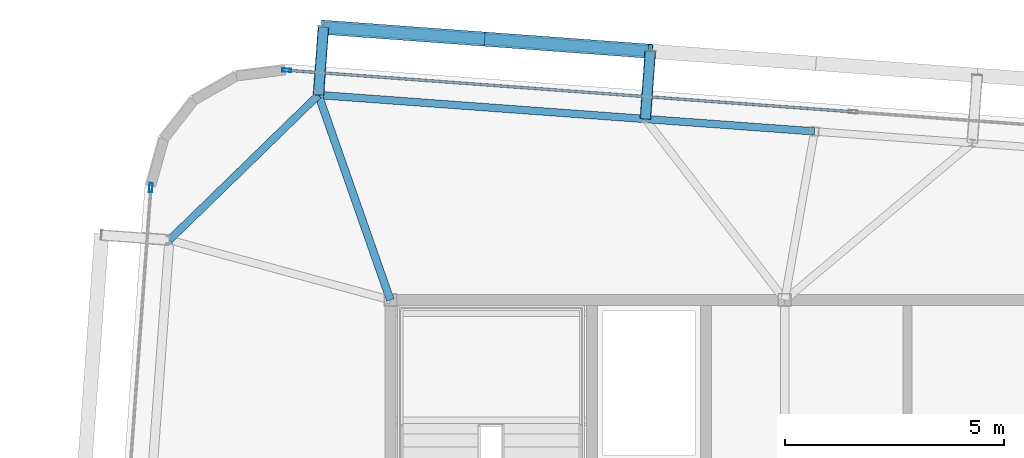
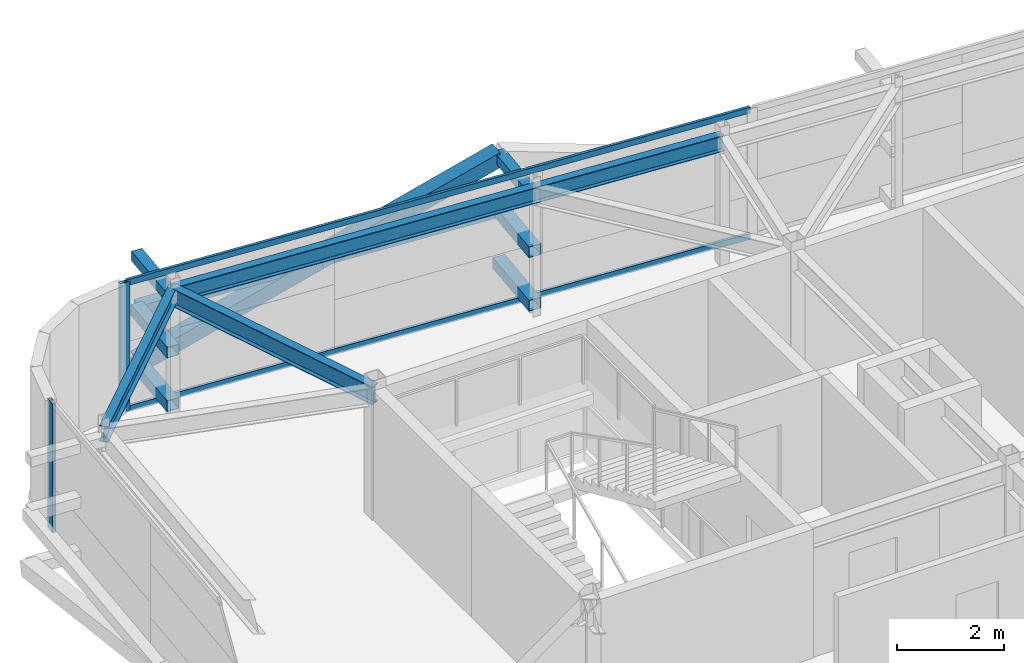
# One storey, part 20 of 34: 13 members, 4 beams, 2 elements without a shape of their own.
"""IFC4 building model written with IfcOpenShell, lengths in metres."""

import ifcopenshell
import ifcopenshell.guid

model = None  # the IFC model being written
_history = None  # IfcOwnerHistory: only IFC2X3 demands one
_inside = {}  # id of a spatial element -> (the spatial element, [elements in it])
_under = {}  # id of a project, library or spatial element -> (it, [spatial elements below it])
_declared = {}  # id of a project -> (the project, [libraries it declares])
_typed = {}  # id of a type object -> (the type object, [elements of that type])
_made_of = {}  # id of a material, layer set ... -> (it, [elements and type objects made of it])


def new_model(schema):
    """Start an empty IFC model of exactly this schema.

    Asked for "IFC4X3", IfcOpenShell would pick the latest addendum, in which some entities
    have other attributes; the version numbers below select the first issue.
    IFC2X3 requires an IfcOwnerHistory on every rooted entity: one is made here for all.
    """
    global model, _history
    if schema == "IFC4X3":
        model = ifcopenshell.file(schema_version=(4, 3, 0, 0))
    else:
        model = ifcopenshell.file(schema=schema)
    _inside.clear()
    _under.clear()
    _declared.clear()
    _typed.clear()
    _made_of.clear()
    _history = None
    if model.schema == "IFC2X3":
        org = make("IfcOrganization", Name="unknown")
        user = make(
            "IfcPersonAndOrganization",
            ThePerson=make("IfcPerson", FamilyName="unknown"),
            TheOrganization=org,
        )
        app = make(
            "IfcApplication",
            ApplicationDeveloper=org,
            Version="unknown",
            ApplicationFullName="unknown",
            ApplicationIdentifier="unknown",
        )
        _history = make(
            "IfcOwnerHistory",
            OwningUser=user,
            OwningApplication=app,
            ChangeAction="ADDED",
            CreationDate=0,
        )
    return model


def make(cls, **values):
    """One entity of the class cls with the attributes given. An attribute that is None is left unset."""
    return model.create_entity(
        cls, **{name: value for name, value in values.items() if value is not None}
    )


def rooted(cls, **values):
    """An entity with a GlobalId (a new one), such as an element, a storey or a relation."""
    return make(cls, GlobalId=ifcopenshell.guid.new(), OwnerHistory=_history, **values)


def si_unit(unit_type, name, prefix=None):
    """IfcSIUnit, for example si_unit("LENGTHUNIT", "METRE", prefix="MILLI")."""
    return make("IfcSIUnit", UnitType=unit_type, Prefix=prefix, Name=name)


def assignment(units):
    """IfcUnitAssignment: the units of a project."""
    return None if units is None else make("IfcUnitAssignment", Units=units)


def point(xyz):
    """IfcCartesianPoint."""
    return None if xyz is None else make("IfcCartesianPoint", Coordinates=xyz)


def direction(xyz):
    """IfcDirection."""
    return None if xyz is None else make("IfcDirection", DirectionRatios=xyz)


def frame(location, z_axis=None, x_axis=None):
    """IfcAxis2Placement3D, a coordinate frame: its origin and axes. An axis left out is left unset."""
    return make(
        "IfcAxis2Placement3D",
        Location=point(location),
        Axis=direction(z_axis),
        RefDirection=direction(x_axis),
    )


def frame_2d(location, x_axis=None):
    """IfcAxis2Placement2D, a coordinate frame in the plane: its origin and x axis."""
    return make(
        "IfcAxis2Placement2D", Location=point(location), RefDirection=direction(x_axis)
    )


def origin():
    """The frame at (0, 0, 0) with its axes left unset."""
    return frame((0.0, 0.0, 0.0))


def origin_2d():
    """The frame at (0, 0) in the plane with its x axis left unset."""
    return frame_2d((0.0, 0.0))


def place(relative_to, where):
    """IfcLocalPlacement: puts the frame where relative to a parent placement (None: the world)."""
    return make(
        "IfcLocalPlacement", PlacementRelTo=relative_to, RelativePlacement=where
    )


def context(
    kind, dimensions, precision=None, world=None, true_north=None, identifier=None
):
    """IfcGeometricRepresentationContext, for example the 3D "Model" context."""
    return make(
        "IfcGeometricRepresentationContext",
        ContextIdentifier=identifier,
        ContextType=kind,
        CoordinateSpaceDimension=dimensions,
        Precision=precision,
        WorldCoordinateSystem=world,
        TrueNorth=true_north,
    )


def subcontext(parent, identifier, kind, view, scale=None):
    """IfcGeometricRepresentationSubContext, for example "Body" below "Model"."""
    return make(
        "IfcGeometricRepresentationSubContext",
        ContextIdentifier=identifier,
        ContextType=kind,
        ParentContext=parent,
        TargetScale=scale,
        TargetView=view,
    )


def project(units=None, contexts=None):
    """IfcProject with its units and contexts."""
    return rooted(
        "IfcProject",
        Name="project",
        RepresentationContexts=contexts,
        UnitsInContext=assignment(units),
    )


def spatial(cls, under=None, at=None, **own):
    """A site, building, storey or space (cls), placed at a placement, below another one or the project."""
    s = rooted(cls, ObjectPlacement=at, **own)
    if under is not None:
        _under.setdefault(under.id(), (under, []))[1].append(s)
    return s


def profile(cls, at=None, kind="AREA", **sizes):
    """A parametric profile (cls). Its sizes go by their IFC names, for example OverallWidth=200.0."""
    return make(cls, ProfileType=kind, Position=at, **sizes)


def hollow_rectangle(**sizes):
    """IfcRectangleHollowProfileDef."""
    return profile("IfcRectangleHollowProfileDef", **sizes)


def i_section(**sizes):
    """IfcIShapeProfileDef."""
    return profile("IfcIShapeProfileDef", **sizes)


def extrude(swept, where, along, depth):
    """IfcExtrudedAreaSolid: the profile swept, set in the frame where, extruded along a direction by depth."""
    return make(
        "IfcExtrudedAreaSolid",
        SweptArea=swept,
        Position=where,
        ExtrudedDirection=direction(along),
        Depth=depth,
    )


def shape(context_of_items, identifier, shape_type, items):
    """IfcShapeRepresentation: the items that make up one representation, for example the "Body"."""
    return make(
        "IfcShapeRepresentation",
        ContextOfItems=context_of_items,
        RepresentationIdentifier=identifier,
        RepresentationType=shape_type,
        Items=items,
    )


def source(mapping_origin, context_of_items, identifier, shape_type, items):
    """IfcRepresentationMap: a shape defined once, which mapped items show again and again."""
    return make(
        "IfcRepresentationMap",
        MappingOrigin=mapping_origin,
        MappedRepresentation=shape(context_of_items, identifier, shape_type, items),
    )


def transform(
    local_origin,
    x_axis=None,
    y_axis=None,
    z_axis=None,
    scale=None,
    scale2=None,
    scale3=None,
    uniform=True,
):
    """IfcCartesianTransformationOperator3D, or its non-uniform kind. x_axis, y_axis, z_axis: its Axis1, 2, 3."""
    if uniform:
        return make(
            "IfcCartesianTransformationOperator3D",
            Axis1=direction(x_axis),
            Axis2=direction(y_axis),
            LocalOrigin=point(local_origin),
            Scale=scale,
            Axis3=direction(z_axis),
        )
    return make(
        "IfcCartesianTransformationOperator3DnonUniform",
        Axis1=direction(x_axis),
        Axis2=direction(y_axis),
        LocalOrigin=point(local_origin),
        Scale=scale,
        Axis3=direction(z_axis),
        Scale2=scale2,
        Scale3=scale3,
    )


def mapped(mapping_source, mapping_target):
    """IfcMappedItem: shows the shape of a source again, moved by a transform."""
    return make(
        "IfcMappedItem", MappingSource=mapping_source, MappingTarget=mapping_target
    )


def material(Name=None, Category=None):
    """IfcMaterial."""
    return make("IfcMaterial", Name=Name, Category=Category)


def layer(
    of_material, thickness, ventilated=None, Name=None, Category=None, Priority=None
):
    """IfcMaterialLayer: one layer of a wall or slab, of a material (None: an air gap)."""
    return make(
        "IfcMaterialLayer",
        Material=of_material,
        LayerThickness=thickness,
        IsVentilated=ventilated,
        Name=Name,
        Category=Category,
        Priority=Priority,
    )


def layer_set(layers, Name=None):
    """IfcMaterialLayerSet."""
    return make("IfcMaterialLayerSet", MaterialLayers=layers, LayerSetName=Name)


def material_profile(
    of_material, cross_section, Name=None, Category=None, Priority=None
):
    """IfcMaterialProfile: a cross section and its material."""
    return make(
        "IfcMaterialProfile",
        Name=Name,
        Material=of_material,
        Profile=cross_section,
        Priority=Priority,
        Category=Category,
    )


def profile_set(profiles, Name=None, composite=None):
    """IfcMaterialProfileSet."""
    return make(
        "IfcMaterialProfileSet",
        Name=Name,
        MaterialProfiles=profiles,
        CompositeProfile=composite,
    )


def made_of(thing, what):
    """Note that an element or type object is made of a material, layer set ...; save() writes the relation."""
    if what is not None:
        _made_of.setdefault(what.id(), (what, []))[1].append(thing)
    return thing


def type_object(cls, material=None, **own):
    """A type object (cls), such as IfcWallType, which elements share."""
    return made_of(rooted(cls, **own), material)


def element(
    cls,
    number,
    at=None,
    inside=None,
    cuts=None,
    type_object=None,
    material=None,
    context=None,
    identifier="Body",
    shape_type=None,
    held_by="IfcProductDefinitionShape",
    body=None,
    shapes=None,
    **own,
):
    """One element of the class cls, such as IfcWall. Its Tag is "e" and its number.

    at: its placement. inside: the storey or other place that contains it. cuts: it is an
    opening in that element (IfcRelVoidsElement). A single representation is given by context,
    identifier, shape_type and body (its items); several are given by shapes. held_by: the class
    of the entity that holds the representations. save() writes the other relations.
    """
    e = rooted(cls, Tag="e%d" % number, ObjectPlacement=at, **own)
    if body is not None:
        shapes = [shape(context, identifier, shape_type, body)]
    if shapes is not None:
        e.Representation = make(held_by, Representations=shapes)
    if inside is not None:
        _inside.setdefault(inside.id(), (inside, []))[1].append(e)
    if cuts is not None:
        rooted(
            "IfcRelVoidsElement", RelatingBuildingElement=cuts, RelatedOpeningElement=e
        )
    if type_object is not None:
        _typed.setdefault(type_object.id(), (type_object, []))[1].append(e)
    return made_of(e, material)


def aggregate(whole, parts):
    """IfcRelAggregates: a whole, such as a stair, and the parts it consists of."""
    return rooted("IfcRelAggregates", RelatingObject=whole, RelatedObjects=parts)


def save(model, path):
    """Write the relations noted so far, then the file.

    IfcRelAggregates (storeys below a building ...), IfcRelContainedInSpatialStructure (elements
    in a storey), IfcRelDefinesByType, IfcRelAssociatesMaterial and IfcRelDeclares: one each for
    every whole, place, type object, material and project.
    """
    for whole, parts in _under.values():
        aggregate(whole, parts)
    for where, things in _inside.values():
        rooted(
            "IfcRelContainedInSpatialStructure",
            RelatedElements=things,
            RelatingStructure=where,
        )
    for kind, things in _typed.values():
        rooted("IfcRelDefinesByType", RelatedObjects=things, RelatingType=kind)
    for what, things in _made_of.values():
        rooted("IfcRelAssociatesMaterial", RelatedObjects=things, RelatingMaterial=what)
    for by, libraries in _declared.values():
        rooted("IfcRelDeclares", RelatingContext=by, RelatedDefinitions=libraries)
    model.write(path)


model = new_model("IFC4")

# Units and contexts
model_context = context("Model", 3, precision=1e-05, world=origin(), true_north=direction((0.0, 1.0)))
body_context = subcontext(model_context, "Body", "Model", "MODEL_VIEW")
ifc_project = project(units=[si_unit("LENGTHUNIT", "METRE"), si_unit("AREAUNIT", "SQUARE_METRE"), si_unit("VOLUMEUNIT", "CUBIC_METRE"), si_unit("PLANEANGLEUNIT", "RADIAN"), si_unit("MASSUNIT", "GRAM", prefix="KILO")], contexts=[model_context])

# Site, building, storey
site_placement = place(None, origin())
site = spatial("IfcSite", under=ifc_project, at=site_placement, CompositionType="ELEMENT")
building_placement = place(site_placement, origin())
building = spatial("IfcBuilding", under=site, at=building_placement, Name="Taldren Reach Tower", CompositionType="ELEMENT")
storey_placement = place(building_placement, frame((0.0, 0.0, 242.89990234375)))
storey = spatial("IfcBuildingStorey", under=building, at=storey_placement, Name="L74", CompositionType="ELEMENT", Elevation=242.89990234375)

# Members
ifc_material_1 = material(Name="Steel Gr 350 (C350L0)", Category="steel")
ifc_material_profile_1 = material_profile(ifc_material_1, hollow_rectangle(XDim=0.25, YDim=0.25, WallThickness=0.010009765625, at=origin_2d()), Name="250x250x10.0SHS")
ifc_profile_set_1 = profile_set([ifc_material_profile_1], Name="Steel Gr 350 (C350L0)")
member_type_1 = type_object("IfcMemberType", Name="MB-POST250", PredefinedType="POST", material=ifc_profile_set_1)
shared_shape_1 = source(origin(), body_context, "Body", "SweptSolid", [
    extrude(hollow_rectangle(XDim=0.25, YDim=0.25, WallThickness=0.010009765625, at=origin_2d()), origin(), (0.0, 0.0, 1.0), 1.5498046875),
])
for number, where, z_axis, x_axis, name in (
    (1, (17.35986328125, 36.678955078125, 0.22021484375), (0.073250797913, 0.997313551801, 0.0), (-0.997313551801, 0.073250797913, 0.0), "Exoskeleton base diaphragm tie strut B5-N1 L74"),
    (2, (17.35986328125, 36.678955078125, 1.43505859375), (0.073250797913, 0.997313551801, 0.0), (-0.997313551801, 0.073250797913, 0.0), "Exoskeleton mid-tier diaphragm tie B5-N1 L74"),
):
    element("IfcMember", number, at=place(storey_placement, frame(where, z_axis=z_axis, x_axis=x_axis)), inside=storey, type_object=member_type_1, Name=name, PredefinedType="POST", context=body_context, shape_type="MappedRepresentation", body=[
        mapped(shared_shape_1, transform((0.0, 0.0, 0.0), scale=1.0)),
    ])
shared_shape_2 = source(origin(), body_context, "Body", "SweptSolid", [
    extrude(hollow_rectangle(XDim=0.25, YDim=0.25, WallThickness=0.010009765625, at=origin_2d()), origin(), (0.0, 0.0, 1.0), 1.550048828125),
])
for number, where, z_axis, x_axis, name in (
    (3, (24.819580078125, 36.131103515625, 0.22021484375), (0.07323929162, 0.997314396849, 0.0), (-0.997314396849, 0.07323929162, 0.0), "Exoskeleton base diaphragm tie strut B5-N2 L74"),
    (4, (24.819580078125, 36.131103515625, 1.43505859375), (0.07323929162, 0.997314396849, 0.0), (-0.997314396849, 0.07323929162, 0.0), "Exoskeleton mid-tier diaphragm tie B5-N2 L74"),
):
    element("IfcMember", number, at=place(storey_placement, frame(where, z_axis=z_axis, x_axis=x_axis)), inside=storey, type_object=member_type_1, Name=name, PredefinedType="POST", context=body_context, shape_type="MappedRepresentation", body=[
        mapped(shared_shape_2, transform((0.0, 0.0, 0.0), scale=1.0)),
    ])
ifc_material_2 = material(Name="Steel Gr 450 (C450L0)", Category="steel")
ifc_material_profile_2 = material_profile(ifc_material_2, hollow_rectangle(XDim=0.219970703125, YDim=0.219970703125, WallThickness=0.00830078125, at=origin_2d()), Name="220x220x8.2SHS")
ifc_profile_set_2 = profile_set([ifc_material_profile_2], Name="Steel Gr 450 (C450L0)")
member_type_2 = type_object("IfcMemberType", Name="MB-TIE219", PredefinedType="STRUT", material=ifc_profile_set_2)
shared_shape_3 = source(origin(), body_context, "Body", "SweptSolid", [
    extrude(hollow_rectangle(XDim=0.219970703125, YDim=0.219970703125, WallThickness=0.00830078125, at=origin_2d()), origin(), (0.0, 0.0, 1.0), 1.5498046875),
])
member_1_placement = place(storey_placement, frame((17.35986328125, 36.678955078125, 2.650146484375), z_axis=(0.073250797913, 0.997313551801, 0.0), x_axis=(-0.997313551801, 0.073250797913, 0.0)))
element("IfcMember", 5, at=member_1_placement, inside=storey, type_object=member_type_2, Name="Exoskeleton diaphragm tie strut B5-N1 L74", PredefinedType="STRUT", context=body_context, shape_type="MappedRepresentation", body=[
    mapped(shared_shape_3, transform((0.0, 0.0, 0.0), scale=1.0)),
])
shared_shape_4 = source(origin(), body_context, "Body", "SweptSolid", [
    extrude(hollow_rectangle(XDim=0.219970703125, YDim=0.219970703125, WallThickness=0.00830078125, at=origin_2d()), origin(), (0.0, 0.0, 1.0), 1.550048828125),
])
member_2_placement = place(storey_placement, frame((24.819580078125, 36.131103515625, 2.650146484375), z_axis=(0.07323929162, 0.997314396849, 0.0), x_axis=(-0.997314396849, 0.07323929162, 0.0)))
element("IfcMember", 6, at=member_2_placement, inside=storey, type_object=member_type_2, Name="Exoskeleton diaphragm tie strut B5-N2 L74", PredefinedType="STRUT", context=body_context, shape_type="MappedRepresentation", body=[
    mapped(shared_shape_4, transform((0.0, 0.0, 0.0), scale=1.0)),
])

# Beams
ifc_material_3 = material(Name="Steel Gr 350 (350PLUS)", Category="steel")
ifc_material_profile_3 = material_profile(ifc_material_3, i_section(OverallWidth=0.172119140625, OverallDepth=0.35888671875, WebThickness=0.008056640625, FlangeThickness=0.012939453125, at=origin_2d()), Name="360UB56.7")
ifc_profile_set_3 = profile_set([ifc_material_profile_3], Name="Steel Gr 350 (350PLUS)")
beam_type_1 = type_object("IfcBeamType", Name="SP-UB360", PredefinedType="SPANDREL", material=ifc_profile_set_3)
shared_shape_5 = source(origin(), body_context, "Body", "SweptSolid", [
    extrude(i_section(OverallWidth=0.172119140625, OverallDepth=0.35888671875, WebThickness=0.008056640625, FlangeThickness=0.012939453125, at=origin_2d()), origin(), (0.0, 0.0, 1.0), 7.479736328125),
])
beam_1_placement = place(storey_placement, frame((24.819580078125, 36.131103515625, 2.75048828125), z_axis=(-0.997314045547, 0.073244075215, 0.0), x_axis=(-0.073244075215, -0.997314045547, 0.0)))
element("IfcBeam", 7, at=beam_1_placement, inside=storey, type_object=beam_type_1, Name="Perimeter spandrel B5 N2-N1 L74", PredefinedType="SPANDREL", context=body_context, shape_type="MappedRepresentation", body=[
    mapped(shared_shape_5, transform((0.0, 0.0, 0.0), scale=1.0)),
])
shared_shape_6 = source(origin(), body_context, "Body", "SweptSolid", [
    extrude(i_section(OverallWidth=0.172119140625, OverallDepth=0.35888671875, WebThickness=0.008056640625, FlangeThickness=0.012939453125, at=origin_2d()), origin(), (0.0, 0.0, 1.0), 4.74609375),
])
beam_2_placement = place(storey_placement, frame((17.35986328125, 36.678955078125, 2.75048828125), z_axis=(-0.716711338436, -0.697369957309, 0.0), x_axis=(0.697369957309, -0.716711338436, 0.0)))
element("IfcBeam", 8, at=beam_2_placement, inside=storey, type_object=beam_type_1, Name="Perimeter spandrel B5 N1-W3 L74", PredefinedType="SPANDREL", context=body_context, shape_type="MappedRepresentation", body=[
    mapped(shared_shape_6, transform((0.0, 0.0, 0.0), scale=1.0)),
])
shared_shape_7 = source(origin(), body_context, "Body", "SweptSolid", [
    extrude(i_section(OverallWidth=0.172119140625, OverallDepth=0.35888671875, WebThickness=0.008056640625, FlangeThickness=0.012939453125, at=origin_2d()), origin(), (0.0, 0.0, 1.0), 3.8701171875),
])
beam_3_placement = place(storey_placement, frame((28.67919921875, 35.84765625, 2.75048828125), z_axis=(-0.997314202545, 0.073241937451, 0.0), x_axis=(-0.073241937451, -0.997314202545, 0.0)))
element("IfcBeam", 9, at=beam_3_placement, inside=storey, type_object=beam_type_1, Name="Perimeter spandrel B5 PJN1-N2 L74", PredefinedType="SPANDREL", context=body_context, shape_type="MappedRepresentation", body=[
    mapped(shared_shape_7, transform((0.0, 0.0, 0.0), scale=1.0)),
])
ifc_material_profile_4 = material_profile(ifc_material_3, i_section(OverallWidth=0.177978515625, OverallDepth=0.406005859375, WebThickness=0.0078125, FlangeThickness=0.0126953125, at=origin_2d()), Name="410UB59.7")
ifc_profile_set_4 = profile_set([ifc_material_profile_4], Name="Steel Gr 350 (350PLUS)")
beam_type_2 = type_object("IfcBeamType", Name="BM-UB410", PredefinedType="BEAM", material=ifc_profile_set_4)
shared_shape_8 = source(origin(), body_context, "Body", "SweptSolid", [
    extrude(i_section(OverallWidth=0.177978515625, OverallDepth=0.406005859375, WebThickness=0.0078125, FlangeThickness=0.0126953125, at=origin_2d()), origin(), (0.0, 0.0, 1.0), 4.9580078125),
])
beam_4_placement = place(storey_placement, frame((19.0, 32.0, 2.72705078125), z_axis=(-0.330800025288, 0.943700875951, 0.0), x_axis=(-0.943700875951, -0.330800025288, 0.0)))
element("IfcBeam", 10, at=beam_4_placement, inside=storey, type_object=beam_type_2, Name="Primary floor girder B5-N1 L74", PredefinedType="BEAM", context=body_context, shape_type="MappedRepresentation", body=[
    mapped(shared_shape_8, transform((0.0, 0.0, 0.0), scale=1.0)),
])

# Members
ifc_material_profile_5 = material_profile(ifc_material_2, hollow_rectangle(XDim=0.324951171875, YDim=0.324951171875, WallThickness=0.0126953125, at=origin_2d()), Name="325x325x12.7SHS")
ifc_profile_set_5 = profile_set([ifc_material_profile_5], Name="Steel Gr 450 (C450L0)")
member_type_3 = type_object("IfcMemberType", Name="MB-BR324", PredefinedType="BRACE", material=ifc_profile_set_5)
shared_shape_9 = source(origin(), body_context, "Body", "SweptSolid", [
    extrude(hollow_rectangle(XDim=0.324951171875, YDim=0.324951171875, WallThickness=0.0126953125, at=origin_2d()), origin(), (0.0, 0.0, 1.0), 3.932373046875),
])
member_3_placement = place(storey_placement, frame((17.473388671875, 38.224609375, 0.22021484375), z_axis=(0.948529326954, -0.06965898055, 0.308933232813), x_axis=(0.07324169103, 0.997314220642, 0.0)))
element("IfcMember", 11, at=member_3_placement, inside=storey, type_object=member_type_3, Name="Exoskeleton Diagrid Brace B5-N1 L74", PredefinedType="BRACE", context=body_context, shape_type="MappedRepresentation", body=[
    mapped(shared_shape_9, transform((0.0, 0.0, 0.0), scale=1.0)),
])
shared_shape_10 = source(origin(), body_context, "Body", "SweptSolid", [
    extrude(hollow_rectangle(XDim=0.324951171875, YDim=0.324951171875, WallThickness=0.0126953125, at=origin_2d()), origin(), (0.0, 0.0, 1.0), 3.93212890625),
])
member_4_placement = place(storey_placement, frame((21.203369140625, 37.95068359375, 1.43505859375), z_axis=(0.948509004245, -0.069599960317, 0.309008922833), x_axis=(0.073181527281, 0.997318637179, 0.0)))
element("IfcMember", 12, at=member_4_placement, inside=storey, type_object=member_type_3, Name="Exoskeleton Diagrid Brace B5-N1 L74", PredefinedType="BRACE", context=body_context, shape_type="MappedRepresentation", body=[
    mapped(shared_shape_10, transform((0.0, 0.0, 0.0), scale=1.0)),
])
shared_shape_11 = source(origin(), body_context, "Body", "SweptSolid", [
    extrude(hollow_rectangle(XDim=0.25, YDim=0.25, WallThickness=0.010009765625, at=origin_2d()), origin(), (0.0, 0.0, 1.0), 7.479736328125),
])
member_5_placement = place(storey_placement, frame((17.473388671875, 38.224609375, 1.43505859375), z_axis=(0.997316429287, -0.07321161024, 0.0), x_axis=(0.07321161024, 0.997316429287, 0.0)))
element("IfcMember", 13, at=member_5_placement, inside=storey, type_object=member_type_1, Name="Exoskeleton mid-height ring chord B5-N1 L74", PredefinedType="POST", context=body_context, shape_type="MappedRepresentation", body=[
    mapped(shared_shape_11, transform((0.0, 0.0, 0.0), scale=1.0)),
])

# Curtain wall, member
ifc_material_4 = material(Name="Aluminium and Low-E Glass Unitised System", Category="aluminium")
ifc_layer = layer(ifc_material_4, 0.159912109375)
ifc_layer_set = layer_set([ifc_layer], Name="Aluminium and Low-E Glass Unitised System")
curtain_wall_type = type_object("IfcCurtainWallType", Name="CW-SYS-6", PredefinedType="NOTDEFINED", material=ifc_layer_set)
curtain_wall_1_placement = place(storey_placement, origin())
curtain_wall_1 = element("IfcCurtainWall", 14, at=curtain_wall_1_placement, inside=storey, type_object=curtain_wall_type, Name="Unitised curtain wall CW-L74-N", PredefinedType="NOTDEFINED")
ifc_material_5 = material(Name="Anodised Aluminium 6063-T6", Category="aluminium")
ifc_material_profile_6 = material_profile(ifc_material_5, hollow_rectangle(XDim=0.074951171875, YDim=0.2099609375, WallThickness=0.00439453125, at=origin_2d()), Name="ALU-210x75x4.5RHS")
ifc_profile_set_6 = profile_set([ifc_material_profile_6], Name="Anodised Aluminium 6063-T6")
member_type_4 = type_object("IfcMemberType", Name="CW-MUL-200", PredefinedType="MULLION", material=ifc_profile_set_6)
shared_shape_12 = source(origin(), body_context, "Body", "SweptSolid", [
    extrude(hollow_rectangle(XDim=0.074951171875, YDim=0.2099609375, WallThickness=0.00439453125, at=origin_2d()), origin(), (0.0, 0.0, 1.0), 2.93017578125),
])
member_6_placement = place(storey_placement, frame((16.63671875, 37.243408203125, 0.0), z_axis=(0.0, 0.0, 1.0), x_axis=(-0.073238213716, -0.997314476006, 0.0)))
member_6 = element("IfcMember", 15, at=member_6_placement, type_object=member_type_4, Name="CW-6 mullion 4", PredefinedType="MULLION", context=body_context, shape_type="MappedRepresentation", body=[
    mapped(shared_shape_12, transform((0.0, 0.0, 0.0), scale=1.0)),
])

curtain_wall_2_placement = place(storey_placement, origin())
curtain_wall_2 = element("IfcCurtainWall", 16, at=curtain_wall_2_placement, inside=storey, type_object=curtain_wall_type, Name="Unitised curtain wall CW-L74-W", PredefinedType="NOTDEFINED")
member_7_placement = place(storey_placement, frame((13.53466796875, 34.56591796875, 0.0), z_axis=(0.0, 0.0, 1.0), x_axis=(0.997314470951, -0.073238282558, 0.0)))
member_7 = element("IfcMember", 17, at=member_7_placement, type_object=member_type_4, Name="CW-6 mullion 1", PredefinedType="MULLION", context=body_context, shape_type="MappedRepresentation", body=[
    mapped(shared_shape_12, transform((0.0, 0.0, 0.0), scale=1.0)),
])
aggregate(curtain_wall_2, [member_7])

# Member
ifc_material_profile_7 = material_profile(ifc_material_5, hollow_rectangle(XDim=0.06005859375, YDim=0.135009765625, WallThickness=0.00341796875, at=origin_2d()), Name="ALU-135x60x3.5RHS")
ifc_profile_set_7 = profile_set([ifc_material_profile_7], Name="Anodised Aluminium 6063-T6")
member_type_5 = type_object("IfcMemberType", Name="CW-TRN-150", PredefinedType="USERDEFINED", material=ifc_profile_set_7)
shared_shape_13 = source(origin(), body_context, "Body", "SweptSolid", [
    extrude(hollow_rectangle(XDim=0.06005859375, YDim=0.135009765625, WallThickness=0.00341796875, at=origin_2d()), origin(), (0.0, 0.0, 1.0), 12.887451171875),
])
member_8_placement = place(storey_placement, frame((29.52685546875, 36.296630859375, 0.030029296875), z_axis=(-0.997314487101, 0.07323806263, 0.0), x_axis=(-0.07323806263, -0.997314487101, 0.0)))
member_8 = element("IfcMember", 18, at=member_8_placement, type_object=member_type_5, Name="CW-6 transom 3.1", ObjectType="TRANSOM", PredefinedType="USERDEFINED", context=body_context, shape_type="MappedRepresentation", body=[
    mapped(shared_shape_13, transform((0.0, 0.0, 0.0), scale=1.0)),
])

member_9_placement = place(storey_placement, frame((29.52685546875, 36.296630859375, 2.900146484375), z_axis=(-0.997314487101, 0.07323806263, 0.0), x_axis=(-0.07323806263, -0.997314487101, 0.0)))
member_9 = element("IfcMember", 19, at=member_9_placement, type_object=member_type_5, Name="CW-6 transom 3.2", ObjectType="TRANSOM", PredefinedType="USERDEFINED", context=body_context, shape_type="MappedRepresentation", body=[
    mapped(shared_shape_13, transform((0.0, 0.0, 0.0), scale=1.0)),
])

aggregate(curtain_wall_1, [member_6, member_8, member_9])

save(model, "model.ifc")
